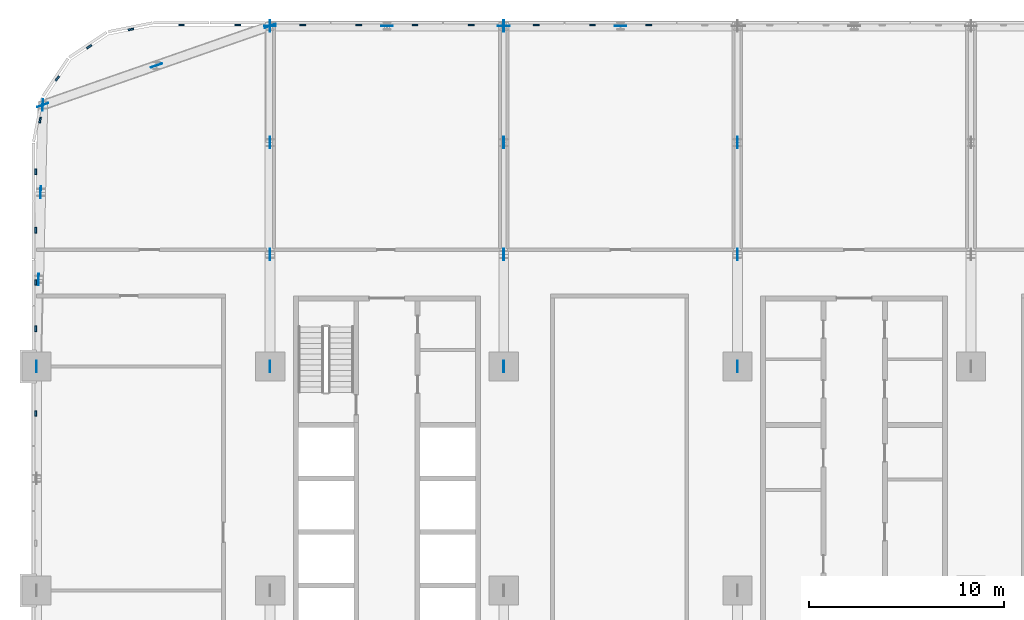
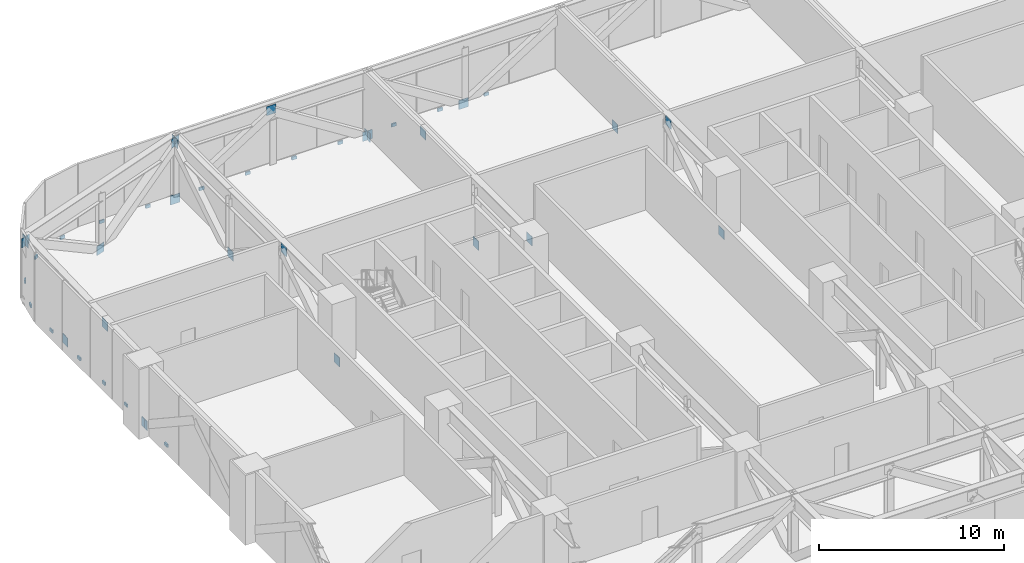
# One storey, part 17 of 26: 41 discrete accessories.
"""IFC4 building model written with IfcOpenShell, lengths in metres."""

from ifc_helpers import new_model, si_unit, direction, frame, origin, origin_2d, place, context, subcontext, project, spatial, rectangle, extrude, material, layer, layer_set, type_object, element, save


model = new_model("IFC4")

# Units and contexts
model_context = context("Model", 3, precision=1e-05, world=origin(), true_north=direction((0.0, 1.0)))
body_context = subcontext(model_context, "Body", "Model", "MODEL_VIEW")
ifc_project = project(units=[si_unit("LENGTHUNIT", "METRE"), si_unit("AREAUNIT", "SQUARE_METRE"), si_unit("VOLUMEUNIT", "CUBIC_METRE"), si_unit("PLANEANGLEUNIT", "RADIAN"), si_unit("MASSUNIT", "GRAM", prefix="KILO")], contexts=[model_context])

# Site, building, storey
site_placement = place(None, origin())
site = spatial("IfcSite", under=ifc_project, at=site_placement, CompositionType="ELEMENT")
building_placement = place(site_placement, origin())
building = spatial("IfcBuilding", under=site, at=building_placement, Name="Mahtab Terrace Research Tower", CompositionType="ELEMENT")
storey_placement = place(building_placement, frame((0.0, 0.0, 80.39990234375)))
storey = spatial("IfcBuildingStorey", under=building, at=storey_placement, Name="L18", CompositionType="ELEMENT", Elevation=80.39990234375)

# Discrete accessories
ifc_material_1 = material(Name="Black anodised aluminium", Category="aluminium")
discrete_accessory_type_1 = type_object("IfcDiscreteAccessoryType", Name="Facade bracket", PredefinedType="BRACKET", material=ifc_material_1)
for number, where, z_axis, x_axis, name in (
    (1, (-10.556884765625, 29.044921875, -0.2998046875), (0.0, 0.0, 1.0), (-1.0, 0.0, 0.0), "Louvre bracket L18 26"),
    (2, (-13.443115234375, 29.044921875, -0.2998046875), (0.0, 0.0, 1.0), (-1.0, 0.0, 0.0), "Louvre bracket L18 27"),
    (3, (-16.3291015625, 29.044921875, -0.2998046875), (0.0, 0.0, 1.0), (-1.0, 0.0, 0.0), "Louvre bracket L18 28"),
    (4, (-19.6708984375, 29.044921875, -0.2998046875), (0.0, 0.0, 1.0), (-1.0, 0.0, 0.0), "Louvre bracket L18 29"),
    (5, (-22.556884765625, 29.044921875, -0.2998046875), (0.0, 0.0, 1.0), (-1.0, 0.0, 0.0), "Louvre bracket L18 30"),
    (6, (-25.443115234375, 29.044921875, -0.2998046875), (0.0, 0.0, 1.0), (-1.0, 0.0, 0.0), "Louvre bracket L18 31"),
    (7, (-28.3291015625, 29.044921875, -0.2998046875), (0.0, 0.0, 1.0), (-1.0, 0.0, 0.0), "Louvre bracket L18 32"),
    (8, (-31.6708984375, 29.044921875, -0.2998046875), (0.0, 0.0, 1.0), (-1.0, 0.0, 0.0), "Louvre bracket L18 33"),
    (9, (-34.556884765625, 29.044921875, -0.2998046875), (0.0, 0.0, 1.0), (-1.0, 0.0, 0.0), "Louvre bracket L18 34"),
    (10, (-37.15673828125, 28.815673828125, -0.2998046875), (0.0, 0.0, 1.0), (-0.980760981187, -0.195212442692, 0.0), "Louvre bracket L18 35"),
    (11, (-39.29443359375, 27.930419921875, -0.2998046875), (0.0, 0.0, 1.0), (-0.831655794326, -0.555291490808, 0.0), "Louvre bracket L18 36"),
    (12, (-40.930419921875, 26.29443359375, -0.2998046875), (0.0, 0.0, 1.0), (-0.555291490808, -0.831655794326, 0.0), "Louvre bracket L18 37"),
    (13, (-41.815673828125, 24.15673828125, -0.2998046875), (0.0, 0.0, 1.0), (-0.195212442692, -0.980760981187, 0.0), "Louvre bracket L18 38"),
    (14, (-42.044921875, 21.5, -0.2998046875), (0.0, 0.0, 1.0), (0.0, -1.0, 0.0), "Louvre bracket L18 39"),
    (15, (-42.044921875, 18.5, -0.2998046875), (0.0, 0.0, 1.0), (0.0, -1.0, 0.0), "Louvre bracket L18 40"),
    (16, (-42.044921875, 15.8125, -0.2998046875), (0.0, 0.0, 1.0), (0.0, -1.0, 0.0), "Louvre bracket L18 41"),
    (17, (-42.044921875, 13.4375, -0.2998046875), (0.0, 0.0, 1.0), (0.0, -1.0, 0.0), "Louvre bracket L18 42"),
    (18, (-42.044921875, 9.083251953125, -0.2998046875), (0.0, 0.0, 1.0), (0.0, -1.0, 0.0), "Louvre bracket L18 43"),
):
    element("IfcDiscreteAccessory", number, at=place(storey_placement, frame(where, z_axis=z_axis, x_axis=x_axis)), inside=storey, type_object=discrete_accessory_type_1, Name=name, PredefinedType="BRACKET", context=body_context, shape_type="SweptSolid", body=[
        extrude(rectangle(XDim=0.300048828125, YDim=0.090087890625, at=origin_2d()), origin(), (0.0, 0.0, 1.0), 0.199951171875),
    ])
ifc_material_2 = material(Name="Steel ASTM A992 Gr 50", Category="steel")
ifc_layer = layer(ifc_material_2, 0.030029296875)
ifc_layer_set = layer_set([ifc_layer], Name="Gusset plate 600x600x30")
discrete_accessory_type_2 = type_object("IfcDiscreteAccessoryType", Name="Gusset plate 600x600x30", PredefinedType="USERDEFINED", material=ifc_layer_set)
for number, where, z_axis, x_axis, name in (
    (19, (-30.0, 29.0, -0.593505859375), (0.0, 0.0, 1.0), (1.0, 0.0, 0.0), "Gusset plate"),
    (20, (-24.0, 29.0, 3.201171875), (0.0, 0.0, 1.0), (1.0, 0.0, 0.0), "Gusset plate"),
    (21, (-18.0, 29.0, -0.593505859375), (0.0, 0.0, 1.0), (1.0, 0.0, 0.0), "Gusset plate"),
    (22, (-12.0, 29.0, -0.593505859375), (0.0, 0.0, 1.0), (1.0, 0.0, 0.0), "Gusset plate"),
    (23, (-41.681884765625, 24.927001953125, 3.201171875), (0.0, 0.0, 1.0), (0.944278751972, 0.329146834368, 0.0), "Gusset plate"),
    (24, (-35.841064453125, 26.962890625, -0.593505859375), (0.0, 0.0, 1.0), (0.944278751972, 0.329146834368, 0.0), "Gusset plate"),
    (25, (-30.0, 29.0, 3.201171875), (0.0, 0.0, 1.0), (0.944227038059, 0.329295157267, 0.0), "Gusset plate"),
    (26, (-42.0, 11.5, -0.593505859375), (0.0, 0.0, 1.0), (0.023681903794, 0.999719544389, 0.0), "Gusset plate"),
    (27, (-41.89404296875, 15.97607421875, 3.201171875), (0.0, 0.0, 1.0), (0.023681903794, 0.999719544389, 0.0), "Gusset plate"),
    (28, (-41.7880859375, 20.450927734375, -0.593505859375), (0.0, 0.0, 1.0), (0.023681903794, 0.999719544389, 0.0), "Gusset plate"),
    (29, (-41.681884765625, 24.927001953125, 3.201171875), (0.0, 0.0, 1.0), (0.023681903794, 0.999719544389, 0.0), "Gusset plate"),
    (30, (-42.0, 11.5, -0.593505859375), (0.0, 0.0, 1.0), (0.0, 1.0, 0.0), "Gusset plate"),
    (31, (-30.0, 11.5, -0.593505859375), (0.0, 0.0, 1.0), (0.0, 1.0, 0.0), "Gusset plate"),
    (32, (-30.0, 17.25, 3.201171875), (0.0, 0.0, 1.0), (0.0, 1.0, 0.0), "Gusset plate"),
    (33, (-30.0, 23.0, -0.593505859375), (0.0, 0.0, 1.0), (0.0, 1.0, 0.0), "Gusset plate"),
    (34, (-30.0, 29.0, 3.201171875), (0.0, 0.0, 1.0), (0.0, 1.0, 0.0), "Gusset plate"),
    (35, (-18.0, 11.5, 3.201171875), (0.0, 0.0, 1.0), (0.0, 1.0, 0.0), "Gusset plate"),
    (36, (-18.0, 17.25, -0.593505859375), (0.0, 0.0, 1.0), (0.0, 1.0, 0.0), "Gusset plate"),
    (37, (-18.0, 23.0, 3.201171875), (0.0, 0.0, 1.0), (0.0, 1.0, 0.0), "Gusset plate"),
    (38, (-18.0, 29.0, -0.593505859375), (0.0, 0.0, 1.0), (0.0, 1.0, 0.0), "Gusset plate"),
    (39, (-6.0, 11.5, -0.593505859375), (0.0, 0.0, 1.0), (0.0, 1.0, 0.0), "Gusset plate"),
    (40, (-6.0, 17.25, 3.201171875), (0.0, 0.0, 1.0), (0.0, 1.0, 0.0), "Gusset plate"),
    (41, (-6.0, 23.0, -0.593505859375), (0.0, 0.0, 1.0), (0.0, 1.0, 0.0), "Gusset plate"),
):
    element("IfcDiscreteAccessory", number, at=place(storey_placement, frame(where, z_axis=z_axis, x_axis=x_axis)), inside=storey, type_object=discrete_accessory_type_2, Name=name, ObjectType="GUSSET PLATE", PredefinedType="USERDEFINED", context=body_context, shape_type="SweptSolid", body=[
        extrude(rectangle(XDim=0.60009765625, YDim=0.030029296875, at=origin_2d()), origin(), (0.0, 0.0, 1.0), 0.60009765625),
    ])

save(model, "model.ifc")
